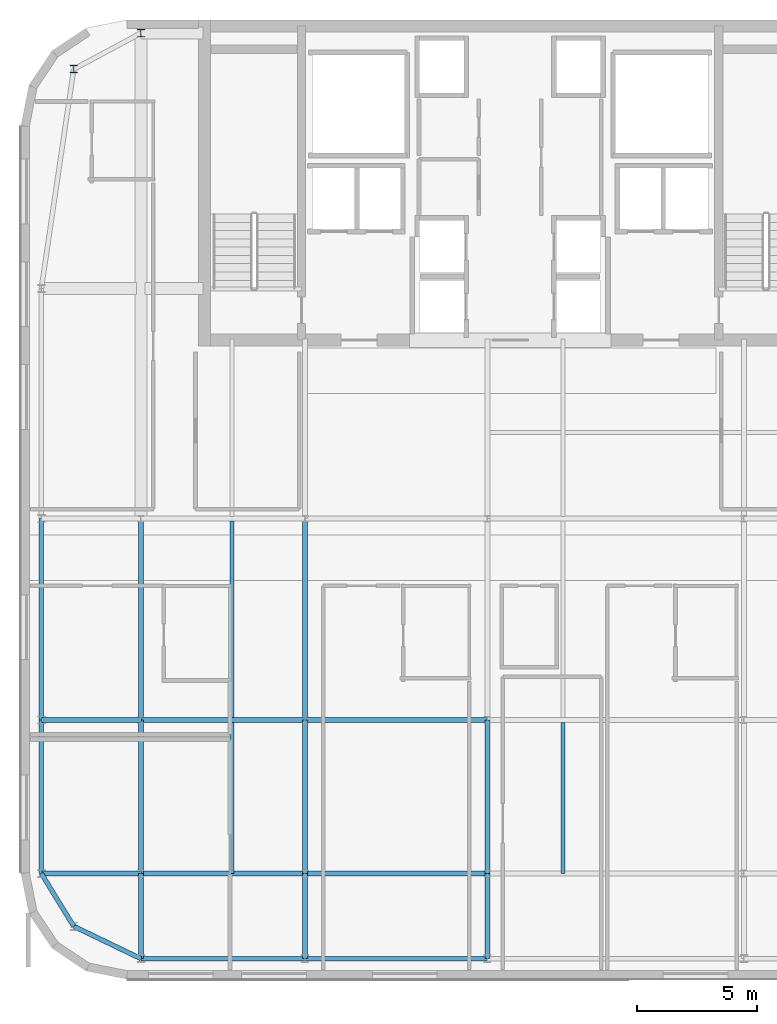
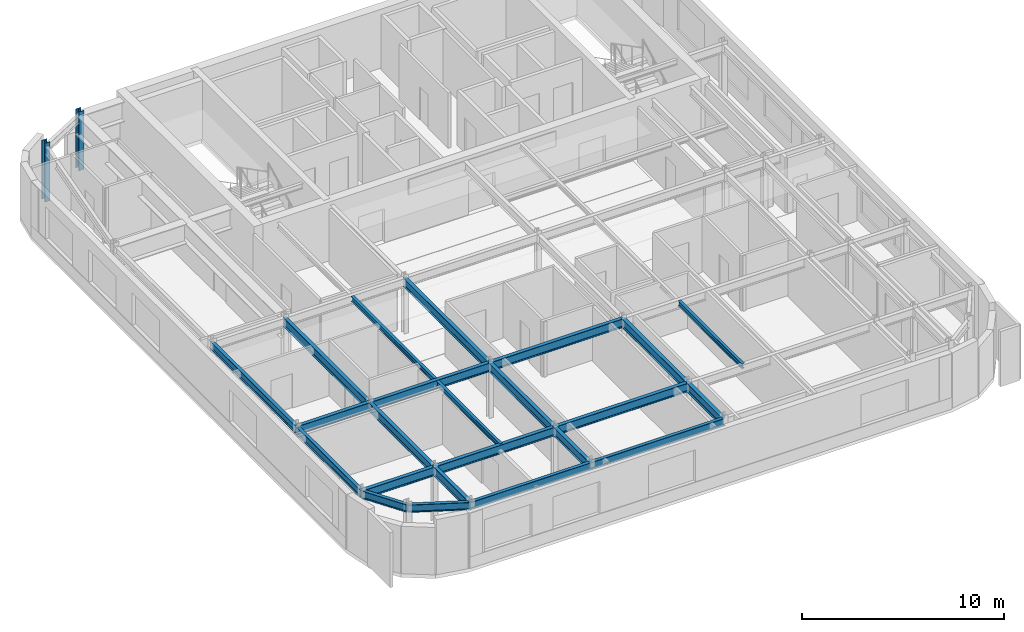
# One storey, part 4 of 15: 23 beams, 2 columns.
"""IFC4 building model written with IfcOpenShell, lengths in metres."""

import ifcopenshell
import ifcopenshell.guid

model = None  # the IFC model being written
_history = None  # IfcOwnerHistory: only IFC2X3 demands one
_inside = {}  # id of a spatial element -> (the spatial element, [elements in it])
_under = {}  # id of a project, library or spatial element -> (it, [spatial elements below it])
_declared = {}  # id of a project -> (the project, [libraries it declares])
_typed = {}  # id of a type object -> (the type object, [elements of that type])
_made_of = {}  # id of a material, layer set ... -> (it, [elements and type objects made of it])


def new_model(schema):
    """Start an empty IFC model of exactly this schema.

    Asked for "IFC4X3", IfcOpenShell would pick the latest addendum, in which some entities
    have other attributes; the version numbers below select the first issue.
    IFC2X3 requires an IfcOwnerHistory on every rooted entity: one is made here for all.
    """
    global model, _history
    if schema == "IFC4X3":
        model = ifcopenshell.file(schema_version=(4, 3, 0, 0))
    else:
        model = ifcopenshell.file(schema=schema)
    _inside.clear()
    _under.clear()
    _declared.clear()
    _typed.clear()
    _made_of.clear()
    _history = None
    if model.schema == "IFC2X3":
        org = make("IfcOrganization", Name="unknown")
        user = make(
            "IfcPersonAndOrganization",
            ThePerson=make("IfcPerson", FamilyName="unknown"),
            TheOrganization=org,
        )
        app = make(
            "IfcApplication",
            ApplicationDeveloper=org,
            Version="unknown",
            ApplicationFullName="unknown",
            ApplicationIdentifier="unknown",
        )
        _history = make(
            "IfcOwnerHistory",
            OwningUser=user,
            OwningApplication=app,
            ChangeAction="ADDED",
            CreationDate=0,
        )
    return model


def make(cls, **values):
    """One entity of the class cls with the attributes given. An attribute that is None is left unset."""
    return model.create_entity(
        cls, **{name: value for name, value in values.items() if value is not None}
    )


def rooted(cls, **values):
    """An entity with a GlobalId (a new one), such as an element, a storey or a relation."""
    return make(cls, GlobalId=ifcopenshell.guid.new(), OwnerHistory=_history, **values)


def si_unit(unit_type, name, prefix=None):
    """IfcSIUnit, for example si_unit("LENGTHUNIT", "METRE", prefix="MILLI")."""
    return make("IfcSIUnit", UnitType=unit_type, Prefix=prefix, Name=name)


def assignment(units):
    """IfcUnitAssignment: the units of a project."""
    return None if units is None else make("IfcUnitAssignment", Units=units)


def point(xyz):
    """IfcCartesianPoint."""
    return None if xyz is None else make("IfcCartesianPoint", Coordinates=xyz)


def direction(xyz):
    """IfcDirection."""
    return None if xyz is None else make("IfcDirection", DirectionRatios=xyz)


def frame(location, z_axis=None, x_axis=None):
    """IfcAxis2Placement3D, a coordinate frame: its origin and axes. An axis left out is left unset."""
    return make(
        "IfcAxis2Placement3D",
        Location=point(location),
        Axis=direction(z_axis),
        RefDirection=direction(x_axis),
    )


def frame_2d(location, x_axis=None):
    """IfcAxis2Placement2D, a coordinate frame in the plane: its origin and x axis."""
    return make(
        "IfcAxis2Placement2D", Location=point(location), RefDirection=direction(x_axis)
    )


def origin():
    """The frame at (0, 0, 0) with its axes left unset."""
    return frame((0.0, 0.0, 0.0))


def origin_2d():
    """The frame at (0, 0) in the plane with its x axis left unset."""
    return frame_2d((0.0, 0.0))


def place(relative_to, where):
    """IfcLocalPlacement: puts the frame where relative to a parent placement (None: the world)."""
    return make(
        "IfcLocalPlacement", PlacementRelTo=relative_to, RelativePlacement=where
    )


def context(
    kind, dimensions, precision=None, world=None, true_north=None, identifier=None
):
    """IfcGeometricRepresentationContext, for example the 3D "Model" context."""
    return make(
        "IfcGeometricRepresentationContext",
        ContextIdentifier=identifier,
        ContextType=kind,
        CoordinateSpaceDimension=dimensions,
        Precision=precision,
        WorldCoordinateSystem=world,
        TrueNorth=true_north,
    )


def subcontext(parent, identifier, kind, view, scale=None):
    """IfcGeometricRepresentationSubContext, for example "Body" below "Model"."""
    return make(
        "IfcGeometricRepresentationSubContext",
        ContextIdentifier=identifier,
        ContextType=kind,
        ParentContext=parent,
        TargetScale=scale,
        TargetView=view,
    )


def project(units=None, contexts=None):
    """IfcProject with its units and contexts."""
    return rooted(
        "IfcProject",
        Name="project",
        RepresentationContexts=contexts,
        UnitsInContext=assignment(units),
    )


def spatial(cls, under=None, at=None, **own):
    """A site, building, storey or space (cls), placed at a placement, below another one or the project."""
    s = rooted(cls, ObjectPlacement=at, **own)
    if under is not None:
        _under.setdefault(under.id(), (under, []))[1].append(s)
    return s


def profile(cls, at=None, kind="AREA", **sizes):
    """A parametric profile (cls). Its sizes go by their IFC names, for example OverallWidth=200.0."""
    return make(cls, ProfileType=kind, Position=at, **sizes)


def i_section(**sizes):
    """IfcIShapeProfileDef."""
    return profile("IfcIShapeProfileDef", **sizes)


def extrude(swept, where, along, depth):
    """IfcExtrudedAreaSolid: the profile swept, set in the frame where, extruded along a direction by depth."""
    return make(
        "IfcExtrudedAreaSolid",
        SweptArea=swept,
        Position=where,
        ExtrudedDirection=direction(along),
        Depth=depth,
    )


def shape(context_of_items, identifier, shape_type, items):
    """IfcShapeRepresentation: the items that make up one representation, for example the "Body"."""
    return make(
        "IfcShapeRepresentation",
        ContextOfItems=context_of_items,
        RepresentationIdentifier=identifier,
        RepresentationType=shape_type,
        Items=items,
    )


def source(mapping_origin, context_of_items, identifier, shape_type, items):
    """IfcRepresentationMap: a shape defined once, which mapped items show again and again."""
    return make(
        "IfcRepresentationMap",
        MappingOrigin=mapping_origin,
        MappedRepresentation=shape(context_of_items, identifier, shape_type, items),
    )


def transform(
    local_origin,
    x_axis=None,
    y_axis=None,
    z_axis=None,
    scale=None,
    scale2=None,
    scale3=None,
    uniform=True,
):
    """IfcCartesianTransformationOperator3D, or its non-uniform kind. x_axis, y_axis, z_axis: its Axis1, 2, 3."""
    if uniform:
        return make(
            "IfcCartesianTransformationOperator3D",
            Axis1=direction(x_axis),
            Axis2=direction(y_axis),
            LocalOrigin=point(local_origin),
            Scale=scale,
            Axis3=direction(z_axis),
        )
    return make(
        "IfcCartesianTransformationOperator3DnonUniform",
        Axis1=direction(x_axis),
        Axis2=direction(y_axis),
        LocalOrigin=point(local_origin),
        Scale=scale,
        Axis3=direction(z_axis),
        Scale2=scale2,
        Scale3=scale3,
    )


def mapped(mapping_source, mapping_target):
    """IfcMappedItem: shows the shape of a source again, moved by a transform."""
    return make(
        "IfcMappedItem", MappingSource=mapping_source, MappingTarget=mapping_target
    )


def material(Name=None, Category=None):
    """IfcMaterial."""
    return make("IfcMaterial", Name=Name, Category=Category)


def material_profile(
    of_material, cross_section, Name=None, Category=None, Priority=None
):
    """IfcMaterialProfile: a cross section and its material."""
    return make(
        "IfcMaterialProfile",
        Name=Name,
        Material=of_material,
        Profile=cross_section,
        Priority=Priority,
        Category=Category,
    )


def profile_set(profiles, Name=None, composite=None):
    """IfcMaterialProfileSet."""
    return make(
        "IfcMaterialProfileSet",
        Name=Name,
        MaterialProfiles=profiles,
        CompositeProfile=composite,
    )


def made_of(thing, what):
    """Note that an element or type object is made of a material, layer set ...; save() writes the relation."""
    if what is not None:
        _made_of.setdefault(what.id(), (what, []))[1].append(thing)
    return thing


def type_object(cls, material=None, **own):
    """A type object (cls), such as IfcWallType, which elements share."""
    return made_of(rooted(cls, **own), material)


def type_shapes(of_type, sources):
    """Give a type object the sources (RepresentationMaps) that its elements show as mapped items."""
    of_type.RepresentationMaps = sources


def element(
    cls,
    number,
    at=None,
    inside=None,
    cuts=None,
    type_object=None,
    material=None,
    context=None,
    identifier="Body",
    shape_type=None,
    held_by="IfcProductDefinitionShape",
    body=None,
    shapes=None,
    **own,
):
    """One element of the class cls, such as IfcWall. Its Tag is "e" and its number.

    at: its placement. inside: the storey or other place that contains it. cuts: it is an
    opening in that element (IfcRelVoidsElement). A single representation is given by context,
    identifier, shape_type and body (its items); several are given by shapes. held_by: the class
    of the entity that holds the representations. save() writes the other relations.
    """
    e = rooted(cls, Tag="e%d" % number, ObjectPlacement=at, **own)
    if body is not None:
        shapes = [shape(context, identifier, shape_type, body)]
    if shapes is not None:
        e.Representation = make(held_by, Representations=shapes)
    if inside is not None:
        _inside.setdefault(inside.id(), (inside, []))[1].append(e)
    if cuts is not None:
        rooted(
            "IfcRelVoidsElement", RelatingBuildingElement=cuts, RelatedOpeningElement=e
        )
    if type_object is not None:
        _typed.setdefault(type_object.id(), (type_object, []))[1].append(e)
    return made_of(e, material)


def aggregate(whole, parts):
    """IfcRelAggregates: a whole, such as a stair, and the parts it consists of."""
    return rooted("IfcRelAggregates", RelatingObject=whole, RelatedObjects=parts)


def save(model, path):
    """Write the relations noted so far, then the file.

    IfcRelAggregates (storeys below a building ...), IfcRelContainedInSpatialStructure (elements
    in a storey), IfcRelDefinesByType, IfcRelAssociatesMaterial and IfcRelDeclares: one each for
    every whole, place, type object, material and project.
    """
    for whole, parts in _under.values():
        aggregate(whole, parts)
    for where, things in _inside.values():
        rooted(
            "IfcRelContainedInSpatialStructure",
            RelatedElements=things,
            RelatingStructure=where,
        )
    for kind, things in _typed.values():
        rooted("IfcRelDefinesByType", RelatedObjects=things, RelatingType=kind)
    for what, things in _made_of.values():
        rooted("IfcRelAssociatesMaterial", RelatedObjects=things, RelatingMaterial=what)
    for by, libraries in _declared.values():
        rooted("IfcRelDeclares", RelatingContext=by, RelatedDefinitions=libraries)
    model.write(path)


model = new_model("IFC4")

# Units and contexts
model_context = context("Model", 3, precision=1e-05, world=origin(), true_north=direction((0.0, 1.0)))
body_context = subcontext(model_context, "Body", "Model", "MODEL_VIEW")
ifc_project = project(units=[si_unit("LENGTHUNIT", "METRE"), si_unit("AREAUNIT", "SQUARE_METRE"), si_unit("VOLUMEUNIT", "CUBIC_METRE"), si_unit("PLANEANGLEUNIT", "RADIAN"), si_unit("MASSUNIT", "GRAM", prefix="KILO")], contexts=[model_context])

# Site, building, storey
site_placement = place(None, origin())
site = spatial("IfcSite", under=ifc_project, at=site_placement, CompositionType="ELEMENT")
building_placement = place(site_placement, origin())
building = spatial("IfcBuilding", under=site, at=building_placement, Name="Tolvann Quenvar Hotel", CompositionType="ELEMENT")
storey_placement = place(building_placement, frame((0.0, 0.0, 278.60009765625)))
storey = spatial("IfcBuildingStorey", under=building, at=storey_placement, Name="L74", CompositionType="ELEMENT", Elevation=278.60009765625)

# Columns
ifc_material = material(Name="Steel Grade 350", Category="steel")
ifc_material_profile_1 = material_profile(ifc_material, i_section(OverallWidth=0.306884765625, OverallDepth=0.31494140625, WebThickness=0.011962890625, FlangeThickness=0.018798828125, FilletRadius=0.0166015625, at=origin_2d()), Name="310UC118")
ifc_profile_set_1 = profile_set([ifc_material_profile_1], Name="Steel Grade 350")
column_type = type_object("IfcColumnType", Name="COL_310UC118", PredefinedType="COLUMN", material=ifc_profile_set_1)
shared_shape_1 = source(origin(), body_context, "Body", "SweptSolid", [
    extrude(i_section(OverallWidth=0.306884765625, OverallDepth=0.31494140625, WebThickness=0.011962890625, FlangeThickness=0.018798828125, FilletRadius=0.0166015625, at=origin_2d()), origin(), (0.0, 0.0, 1.0), 3.5498046875),
])
type_shapes(column_type, [shared_shape_1])
for number, where, z_axis, x_axis, name in (
    (1, (4.800048828125, 43.14990234375, 0.0), (0.0, 0.0, 1.0), (1.0, 0.0, 0.0), "Column BN (L74)"),
    (2, (7.60009765625, 44.64990234375, 0.0), (0.0, 0.0, 1.0), (1.0, 0.0, 0.0), "Column CN (L74)"),
):
    element("IfcColumn", number, at=place(storey_placement, frame(where, z_axis=z_axis, x_axis=x_axis)), inside=storey, type_object=column_type, Name=name, PredefinedType="COLUMN", context=body_context, shape_type="MappedRepresentation", body=[
        mapped(shared_shape_1, transform((0.0, 0.0, 0.0), x_axis=(1.0, 0.0, 0.0), y_axis=(0.0, 1.0, 0.0), z_axis=(0.0, 0.0, 1.0), scale=1.0)),
    ])

# Beams
ifc_material_profile_2 = material_profile(ifc_material, i_section(OverallWidth=0.208984375, OverallDepth=0.532958984375, WebThickness=0.01025390625, FlangeThickness=0.015625, FilletRadius=0.013916015625, at=origin_2d()), Name="530UB92")
ifc_profile_set_2 = profile_set([ifc_material_profile_2], Name="Steel Grade 350")
beam_type_1 = type_object("IfcBeamType", Name="BM_GIRD_530UB92", PredefinedType="BEAM", material=ifc_profile_set_2)
shared_shape_2 = source(origin(), body_context, "Body", "SweptSolid", [
    extrude(i_section(OverallWidth=0.208984375, OverallDepth=0.532958984375, WebThickness=0.01025390625, FlangeThickness=0.015625, FilletRadius=0.013916015625, at=origin_2d()), origin(), (0.0, 0.0, 1.0), 8.39990234375),
])
for number, where, z_axis, x_axis, name in (
    (3, (7.60009765625, 16.0, 3.0634765625), (0.0, 1.0, 0.0), (-1.0, 0.0, 0.0), "BM-L74-NS-C4-C5"),
    (4, (14.449951171875, 16.0, 3.0634765625), (0.0, 1.0, 0.0), (-1.0, 0.0, 0.0), "BM-L74-NS-D4-D5"),
):
    element("IfcBeam", number, at=place(storey_placement, frame(where, z_axis=z_axis, x_axis=x_axis)), inside=storey, type_object=beam_type_1, Name=name, PredefinedType="BEAM", context=body_context, shape_type="MappedRepresentation", body=[
        mapped(shared_shape_2, transform((0.0, 0.0, 0.0), x_axis=(1.0, 0.0, 0.0), y_axis=(0.0, 1.0, 0.0), z_axis=(0.0, 0.0, 1.0), scale=1.0)),
    ])
ifc_material_profile_3 = material_profile(ifc_material, i_section(OverallWidth=0.19091796875, OverallDepth=0.4599609375, WebThickness=0.010009765625, FlangeThickness=0.01611328125, FilletRadius=0.011474609375, at=origin_2d()), Name="460UB82")
ifc_profile_set_3 = profile_set([ifc_material_profile_3], Name="Steel Grade 350")
beam_type_2 = type_object("IfcBeamType", Name="BM_SPAND_460UB82", PredefinedType="SPANDREL", material=ifc_profile_set_3)
shared_shape_3 = source(origin(), body_context, "Body", "SweptSolid", [
    extrude(i_section(OverallWidth=0.19091796875, OverallDepth=0.4599609375, WebThickness=0.010009765625, FlangeThickness=0.01611328125, FilletRadius=0.011474609375, at=origin_2d()), origin(), (0.0, 0.0, 1.0), 8.39990234375),
])
beam_1_placement = place(storey_placement, frame((3.449951171875, 16.0, 3.099853515625), z_axis=(0.0, 1.0, 0.0), x_axis=(-1.0, 0.0, 0.0)))
element("IfcBeam", 5, at=beam_1_placement, inside=storey, type_object=beam_type_2, Name="BM-L74-NS-B4-B5", PredefinedType="SPANDREL", context=body_context, shape_type="MappedRepresentation", body=[
    mapped(shared_shape_3, transform((0.0, 0.0, 0.0), x_axis=(1.0, 0.0, 0.0), y_axis=(0.0, 1.0, 0.0), z_axis=(0.0, 0.0, 1.0), scale=1.0)),
])
shared_shape_4 = source(origin(), body_context, "Body", "SweptSolid", [
    extrude(i_section(OverallWidth=0.19091796875, OverallDepth=0.4599609375, WebThickness=0.010009765625, FlangeThickness=0.01611328125, FilletRadius=0.011474609375, at=origin_2d()), origin(), (0.0, 0.0, 1.0), 6.849853515625),
])
beam_2_placement = place(storey_placement, frame((7.60009765625, 6.050048828125, 3.099853515625), z_axis=(1.0, 0.0, 0.0), x_axis=(0.0, 1.0, 0.0)))
element("IfcBeam", 6, at=beam_2_placement, inside=storey, type_object=beam_type_2, Name="BM-L74-EW-2-C2-D2", PredefinedType="SPANDREL", context=body_context, shape_type="MappedRepresentation", body=[
    mapped(shared_shape_4, transform((0.0, 0.0, 0.0), x_axis=(1.0, 0.0, 0.0), y_axis=(0.0, 1.0, 0.0), z_axis=(0.0, 0.0, 1.0), scale=1.0)),
])
shared_shape_5 = source(origin(), body_context, "Body", "SweptSolid", [
    extrude(i_section(OverallWidth=0.208984375, OverallDepth=0.532958984375, WebThickness=0.01025390625, FlangeThickness=0.015625, FilletRadius=0.013916015625, at=origin_2d()), origin(), (0.0, 0.0, 1.0), 4.150146484375),
])
for number, where, z_axis, x_axis, name in (
    (7, (3.449951171875, 9.60009765625, 3.0634765625), (1.0, 0.0, 0.0), (0.0, 1.0, 0.0), "BM-L74-EW-3-B3-C3"),
    (8, (3.449951171875, 16.0, 3.0634765625), (1.0, 0.0, 0.0), (0.0, 1.0, 0.0), "BM-L74-EW-4-B4-C4"),
):
    element("IfcBeam", number, at=place(storey_placement, frame(where, z_axis=z_axis, x_axis=x_axis)), inside=storey, type_object=beam_type_1, Name=name, PredefinedType="BEAM", context=body_context, shape_type="MappedRepresentation", body=[
        mapped(shared_shape_5, transform((0.0, 0.0, 0.0), x_axis=(1.0, 0.0, 0.0), y_axis=(0.0, 1.0, 0.0), z_axis=(0.0, 0.0, 1.0), scale=1.0)),
    ])
shared_shape_6 = source(origin(), body_context, "Body", "SweptSolid", [
    extrude(i_section(OverallWidth=0.208984375, OverallDepth=0.532958984375, WebThickness=0.01025390625, FlangeThickness=0.015625, FilletRadius=0.013916015625, at=origin_2d()), origin(), (0.0, 0.0, 1.0), 6.849853515625),
])
for number, where, z_axis, x_axis, name in (
    (9, (7.60009765625, 9.60009765625, 3.0634765625), (1.0, 0.0, 0.0), (0.0, 1.0, 0.0), "BM-L74-EW-3-C3-D3"),
    (10, (7.60009765625, 16.0, 3.0634765625), (1.0, 0.0, 0.0), (0.0, 1.0, 0.0), "BM-L74-EW-4-C4-D4"),
):
    element("IfcBeam", number, at=place(storey_placement, frame(where, z_axis=z_axis, x_axis=x_axis)), inside=storey, type_object=beam_type_1, Name=name, PredefinedType="BEAM", context=body_context, shape_type="MappedRepresentation", body=[
        mapped(shared_shape_6, transform((0.0, 0.0, 0.0), x_axis=(1.0, 0.0, 0.0), y_axis=(0.0, 1.0, 0.0), z_axis=(0.0, 0.0, 1.0), scale=1.0)),
    ])
shared_shape_7 = source(origin(), body_context, "Body", "SweptSolid", [
    extrude(i_section(OverallWidth=0.208984375, OverallDepth=0.532958984375, WebThickness=0.01025390625, FlangeThickness=0.015625, FilletRadius=0.013916015625, at=origin_2d()), origin(), (0.0, 0.0, 1.0), 7.60009765625),
])
for number, where, z_axis, x_axis, name in (
    (11, (14.449951171875, 9.60009765625, 3.0634765625), (1.0, 0.0, 0.0), (0.0, 1.0, 0.0), "BM-L74-EW-3-D3-E3"),
    (12, (14.449951171875, 16.0, 3.0634765625), (1.0, 0.0, 0.0), (0.0, 1.0, 0.0), "BM-L74-EW-4-D4-E4"),
):
    element("IfcBeam", number, at=place(storey_placement, frame(where, z_axis=z_axis, x_axis=x_axis)), inside=storey, type_object=beam_type_1, Name=name, PredefinedType="BEAM", context=body_context, shape_type="MappedRepresentation", body=[
        mapped(shared_shape_7, transform((0.0, 0.0, 0.0), x_axis=(1.0, 0.0, 0.0), y_axis=(0.0, 1.0, 0.0), z_axis=(0.0, 0.0, 1.0), scale=1.0)),
    ])
ifc_material_profile_4 = material_profile(ifc_material, i_section(OverallWidth=0.166015625, OverallDepth=0.306884765625, WebThickness=0.006591796875, FlangeThickness=0.01171875, FilletRadius=0.011474609375, at=origin_2d()), Name="310UB46")
ifc_profile_set_4 = profile_set([ifc_material_profile_4], Name="Steel Grade 350")
beam_type_3 = type_object("IfcBeamType", Name="BM_JOIST_310UB46", PredefinedType="JOIST", material=ifc_profile_set_4)
shared_shape_8 = source(origin(), body_context, "Body", "SweptSolid", [
    extrude(i_section(OverallWidth=0.166015625, OverallDepth=0.306884765625, WebThickness=0.006591796875, FlangeThickness=0.01171875, FilletRadius=0.011474609375, at=origin_2d()), origin(), (0.0, 0.0, 1.0), 8.203125),
])
beam_3_placement = place(storey_placement, frame((11.39990234375, 16.098388671875, 3.176513671875), z_axis=(0.0, 1.0, 0.0), x_axis=(-1.0, 0.0, 0.0)))
element("IfcBeam", 13, at=beam_3_placement, inside=storey, type_object=beam_type_3, Name="BJ-L74-114-160", PredefinedType="JOIST", context=body_context, shape_type="MappedRepresentation", body=[
    mapped(shared_shape_8, transform((0.0, 0.0, 0.0), x_axis=(1.0, 0.0, 0.0), y_axis=(0.0, 1.0, 0.0), z_axis=(0.0, 0.0, 1.0), scale=1.0)),
])
shared_shape_9 = source(origin(), body_context, "Body", "SweptSolid", [
    extrude(i_section(OverallWidth=0.19091796875, OverallDepth=0.4599609375, WebThickness=0.010009765625, FlangeThickness=0.01611328125, FilletRadius=0.011474609375, at=origin_2d()), origin(), (0.0, 0.0, 1.0), 3.1083984375),
])
beam_4_placement = place(storey_placement, frame((4.800048828125, 7.39990234375, 3.099853515625), z_axis=(0.900790078459, -0.434254803715, 0.0), x_axis=(0.434254803715, 0.900790078459, 0.0)))
element("IfcBeam", 14, at=beam_4_placement, inside=storey, type_object=beam_type_2, Name="BM-L74-EW-2-B2-C2", PredefinedType="SPANDREL", context=body_context, shape_type="MappedRepresentation", body=[
    mapped(shared_shape_9, transform((0.0, 0.0, 0.0), x_axis=(1.0, 0.0, 0.0), y_axis=(0.0, 1.0, 0.0), z_axis=(0.0, 0.0, 1.0), scale=1.0)),
])
shared_shape_10 = source(origin(), body_context, "Body", "SweptSolid", [
    extrude(i_section(OverallWidth=0.19091796875, OverallDepth=0.4599609375, WebThickness=0.010009765625, FlangeThickness=0.01611328125, FilletRadius=0.011474609375, at=origin_2d()), origin(), (0.0, 0.0, 1.0), 7.60009765625),
])
beam_5_placement = place(storey_placement, frame((14.449951171875, 6.050048828125, 3.099853515625), z_axis=(1.0, 0.0, 0.0), x_axis=(0.0, 1.0, 0.0)))
element("IfcBeam", 15, at=beam_5_placement, inside=storey, type_object=beam_type_2, Name="BM-L74-EW-2-D2-E2", PredefinedType="SPANDREL", context=body_context, shape_type="MappedRepresentation", body=[
    mapped(shared_shape_10, transform((0.0, 0.0, 0.0), x_axis=(1.0, 0.0, 0.0), y_axis=(0.0, 1.0, 0.0), z_axis=(0.0, 0.0, 1.0), scale=1.0)),
])
shared_shape_11 = source(origin(), body_context, "Body", "SweptSolid", [
    extrude(i_section(OverallWidth=0.19091796875, OverallDepth=0.4599609375, WebThickness=0.010009765625, FlangeThickness=0.01611328125, FilletRadius=0.011474609375, at=origin_2d()), origin(), (0.0, 0.0, 1.0), 2.581298828125),
])
beam_6_placement = place(storey_placement, frame((4.800048828125, 7.39990234375, 3.099853515625), z_axis=(-0.523009973863, 0.852326561384, 0.0), x_axis=(-0.852326561384, -0.523009973863, 0.0)))
element("IfcBeam", 16, at=beam_6_placement, inside=storey, type_object=beam_type_2, Name="BM-L74-NS-B2-B3", PredefinedType="SPANDREL", context=body_context, shape_type="MappedRepresentation", body=[
    mapped(shared_shape_11, transform((0.0, 0.0, 0.0), x_axis=(1.0, 0.0, 0.0), y_axis=(0.0, 1.0, 0.0), z_axis=(0.0, 0.0, 1.0), scale=1.0)),
])
shared_shape_12 = source(origin(), body_context, "Body", "SweptSolid", [
    extrude(i_section(OverallWidth=0.19091796875, OverallDepth=0.4599609375, WebThickness=0.010009765625, FlangeThickness=0.01611328125, FilletRadius=0.011474609375, at=origin_2d()), origin(), (0.0, 0.0, 1.0), 6.39990234375),
])
type_shapes(beam_type_2, [shared_shape_3, shared_shape_4, shared_shape_9, shared_shape_10, shared_shape_11, shared_shape_12])
beam_7_placement = place(storey_placement, frame((3.449951171875, 9.60009765625, 3.099853515625), z_axis=(0.0, 1.0, 0.0), x_axis=(-1.0, 0.0, 0.0)))
element("IfcBeam", 17, at=beam_7_placement, inside=storey, type_object=beam_type_2, Name="BM-L74-NS-B3-B4", PredefinedType="SPANDREL", context=body_context, shape_type="MappedRepresentation", body=[
    mapped(shared_shape_12, transform((0.0, 0.0, 0.0), x_axis=(1.0, 0.0, 0.0), y_axis=(0.0, 1.0, 0.0), z_axis=(0.0, 0.0, 1.0), scale=1.0)),
])
shared_shape_13 = source(origin(), body_context, "Body", "SweptSolid", [
    extrude(i_section(OverallWidth=0.208984375, OverallDepth=0.532958984375, WebThickness=0.01025390625, FlangeThickness=0.015625, FilletRadius=0.013916015625, at=origin_2d()), origin(), (0.0, 0.0, 1.0), 3.550048828125),
])
for number, where, z_axis, x_axis, name in (
    (18, (7.60009765625, 6.050048828125, 3.0634765625), (0.0, 1.0, 0.0), (-1.0, 0.0, 0.0), "BM-L74-NS-C2-C3"),
    (19, (14.449951171875, 6.050048828125, 3.0634765625), (0.0, 1.0, 0.0), (-1.0, 0.0, 0.0), "BM-L74-NS-D2-D3"),
    (20, (22.050048828125, 6.050048828125, 3.0634765625), (0.0, 1.0, 0.0), (-1.0, 0.0, 0.0), "BM-L74-NS-E2-E3"),
):
    element("IfcBeam", number, at=place(storey_placement, frame(where, z_axis=z_axis, x_axis=x_axis)), inside=storey, type_object=beam_type_1, Name=name, PredefinedType="BEAM", context=body_context, shape_type="MappedRepresentation", body=[
        mapped(shared_shape_13, transform((0.0, 0.0, 0.0), x_axis=(1.0, 0.0, 0.0), y_axis=(0.0, 1.0, 0.0), z_axis=(0.0, 0.0, 1.0), scale=1.0)),
    ])
shared_shape_14 = source(origin(), body_context, "Body", "SweptSolid", [
    extrude(i_section(OverallWidth=0.208984375, OverallDepth=0.532958984375, WebThickness=0.01025390625, FlangeThickness=0.015625, FilletRadius=0.013916015625, at=origin_2d()), origin(), (0.0, 0.0, 1.0), 6.39990234375),
])
type_shapes(beam_type_1, [shared_shape_2, shared_shape_5, shared_shape_6, shared_shape_7, shared_shape_13, shared_shape_14])
for number, where, z_axis, x_axis, name in (
    (21, (7.60009765625, 9.60009765625, 3.0634765625), (0.0, 1.0, 0.0), (-1.0, 0.0, 0.0), "BM-L74-NS-C3-C4"),
    (22, (14.449951171875, 9.60009765625, 3.0634765625), (0.0, 1.0, 0.0), (-1.0, 0.0, 0.0), "BM-L74-NS-D3-D4"),
    (23, (22.050048828125, 9.60009765625, 3.0634765625), (0.0, 1.0, 0.0), (-1.0, 0.0, 0.0), "BM-L74-NS-E3-E4"),
):
    element("IfcBeam", number, at=place(storey_placement, frame(where, z_axis=z_axis, x_axis=x_axis)), inside=storey, type_object=beam_type_1, Name=name, PredefinedType="BEAM", context=body_context, shape_type="MappedRepresentation", body=[
        mapped(shared_shape_14, transform((0.0, 0.0, 0.0), x_axis=(1.0, 0.0, 0.0), y_axis=(0.0, 1.0, 0.0), z_axis=(0.0, 0.0, 1.0), scale=1.0)),
    ])
shared_shape_15 = source(origin(), body_context, "Body", "SweptSolid", [
    extrude(i_section(OverallWidth=0.166015625, OverallDepth=0.306884765625, WebThickness=0.006591796875, FlangeThickness=0.01171875, FilletRadius=0.011474609375, at=origin_2d()), origin(), (0.0, 0.0, 1.0), 6.301513671875),
])
type_shapes(beam_type_3, [shared_shape_8, shared_shape_15])
for number, where, z_axis, x_axis, name in (
    (24, (11.39990234375, 9.60009765625, 3.176513671875), (0.0, 1.0, 0.0), (-1.0, 0.0, 0.0), "BJ-L74-114-96"),
    (25, (25.199951171875, 9.60009765625, 3.176513671875), (0.0, 1.0, 0.0), (-1.0, 0.0, 0.0), "BJ-L74-252-96"),
):
    element("IfcBeam", number, at=place(storey_placement, frame(where, z_axis=z_axis, x_axis=x_axis)), inside=storey, type_object=beam_type_3, Name=name, PredefinedType="JOIST", context=body_context, shape_type="MappedRepresentation", body=[
        mapped(shared_shape_15, transform((0.0, 0.0, 0.0), x_axis=(1.0, 0.0, 0.0), y_axis=(0.0, 1.0, 0.0), z_axis=(0.0, 0.0, 1.0), scale=1.0)),
    ])

save(model, "model.ifc")
